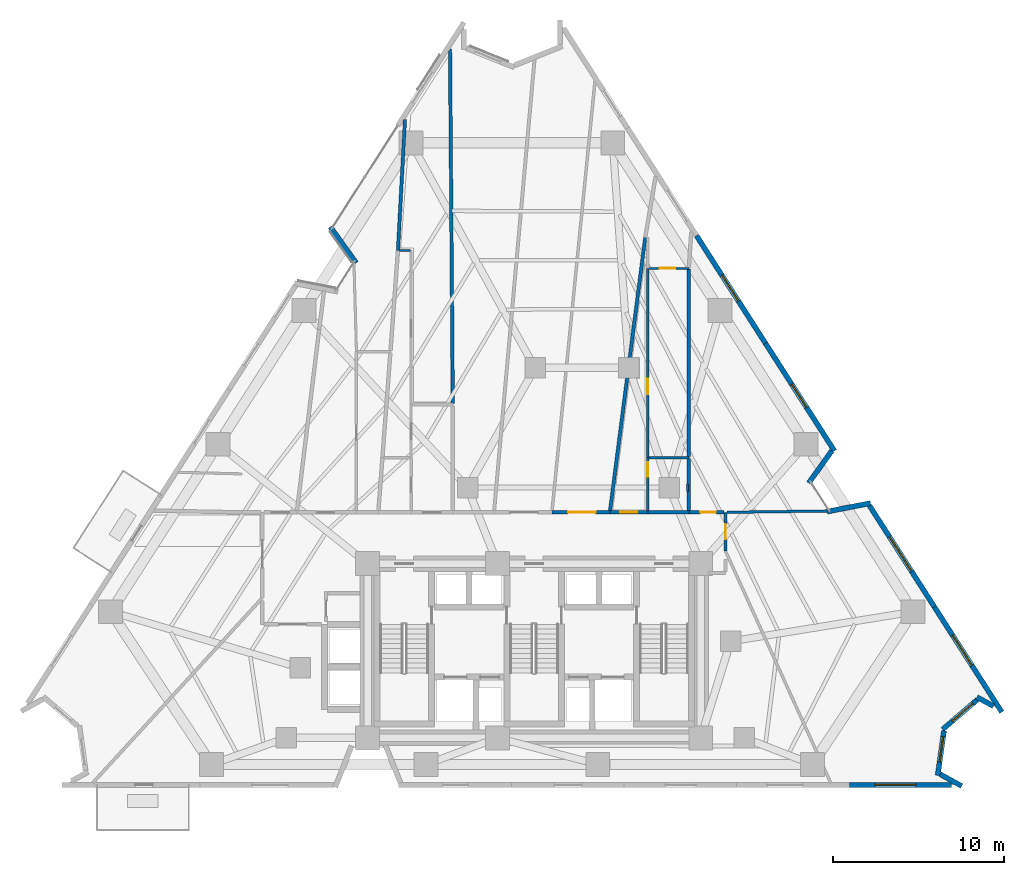
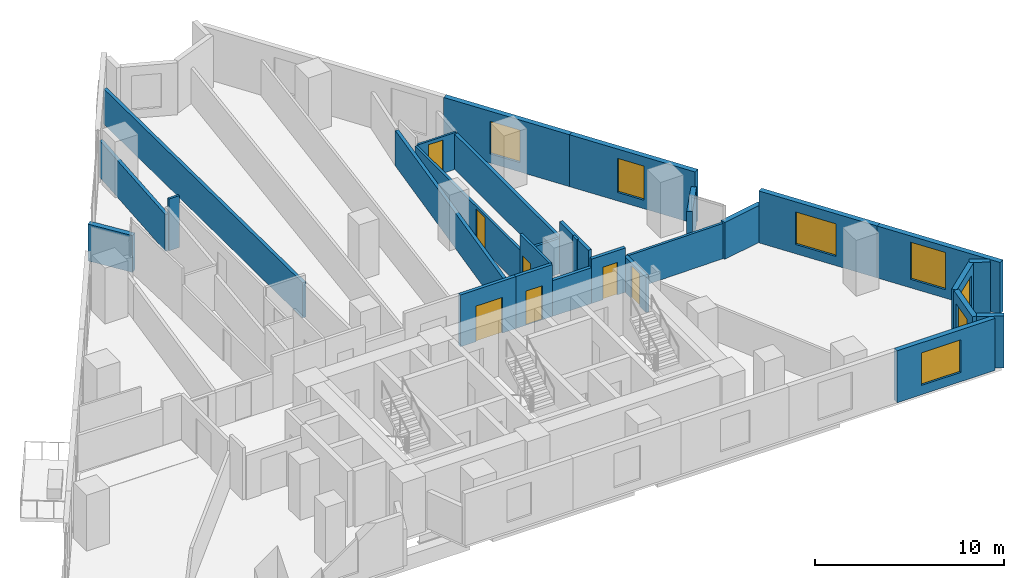
# One storey, part 9 of 14: 29 walls, 7 doors, 7 windows, 14 openings.
"""IFC4 building model written with IfcOpenShell, lengths in metres."""

from ifc_helpers import new_model, si_unit, direction, frame, frame_2d, origin, place, context, subcontext, project, spatial, rectangle, extrude, material, layer, layer_set, type_object, element, fill, save


model = new_model("IFC4")

# Units and contexts
model_context = context("Model", 3, precision=1e-05, world=origin(), true_north=direction((0.0, 1.0)))
body_context = subcontext(model_context, "Body", "Model", "MODEL_VIEW")
ifc_project = project(units=[si_unit("LENGTHUNIT", "METRE"), si_unit("AREAUNIT", "SQUARE_METRE"), si_unit("VOLUMEUNIT", "CUBIC_METRE"), si_unit("PLANEANGLEUNIT", "RADIAN"), si_unit("MASSUNIT", "GRAM", prefix="KILO")], contexts=[model_context])

# Site, building, storey
site_placement = place(None, origin())
site = spatial("IfcSite", under=ifc_project, at=site_placement, CompositionType="ELEMENT")
building_placement = place(site_placement, origin())
building = spatial("IfcBuilding", under=site, at=building_placement, Name="Almagre Mirador Tower", CompositionType="ELEMENT")
storey_placement = place(building_placement, frame((0.0, 0.0, 46.199951171875)))
storey = spatial("IfcBuildingStorey", under=building, at=storey_placement, Name="L10", CompositionType="ELEMENT", Elevation=46.199951171875)

# Wall
ifc_material_1 = material(Name="Precast concrete C50/60", Category="concrete")
ifc_layer_1 = layer(ifc_material_1, 0.300048828125)
ifc_layer_set_1 = layer_set([ifc_layer_1], Name="Precast concrete C50/60")
wall_type_1 = type_object("IfcWallType", Name="WAL-EXT-300", PredefinedType="SOLIDWALL", material=ifc_layer_set_1)
wall_1_placement = place(storey_placement, frame((26.881591796875, 32.34521484375, 0.0), z_axis=(0.0, 0.0, 1.0), x_axis=(-0.58299973372, 0.812472344442, 0.0)))
element("IfcWall", 1, at=wall_1_placement, inside=storey, type_object=wall_type_1, Name="L10 expressed almagre precast frame wall 02", PredefinedType="SOLIDWALL", context=body_context, shape_type="SweptSolid", body=[
    extrude(rectangle(XDim=2.59375, YDim=0.300048828125, at=frame_2d((1.296875, 0.0))), origin(), (0.0, 0.0, 1.0), 2.375),
])

# Wall, opening, window
wall_2_placement = place(storey_placement, frame((46.803466796875, 33.94140625, 0.0), z_axis=(0.0, 0.0, 1.0), x_axis=(0.539548093607, -0.841954781853, 0.0)))
wall_2 = element("IfcWall", 2, at=wall_2_placement, inside=storey, type_object=wall_type_1, Name="L10 expressed almagre precast frame wall 10", PredefinedType="SOLIDWALL", context=body_context, shape_type="SweptSolid", body=[
    extrude(rectangle(XDim=7.4814453125, YDim=0.300048828125, at=frame_2d((3.74072265625, 0.0))), origin(), (0.0, 0.0, 1.0), 3.35009765625),
])
opening_1_placement = place(wall_2_placement, frame((2.75, 0.0, 0.60009765625)))
opening_1 = element("IfcOpeningElement", 3, at=opening_1_placement, cuts=wall_2, Name="Opening WN-01", PredefinedType="OPENING", context=body_context, shape_type="SweptSolid", body=[
    extrude(rectangle(XDim=1.800048828125, YDim=2.10009765625, at=frame_2d((0.89990234375, 1.050048828125))), frame((0.0, 0.159902, 0.0), z_axis=(0.0, -1.0, 0.0), x_axis=(1.0, 0.0, 0.0)), (0.0, 0.0, 1.0), 0.320049),
])
ifc_material_2 = material(Name="Dark solar-control laminated hurricane glass", Category="glass")
window_type_1 = type_object("IfcWindowType", Name="WIN-1800X2100", PartitioningType="DOUBLE_PANEL_VERTICAL", PredefinedType="WINDOW", material=ifc_material_2)
window_1_placement = place(opening_1_placement, origin())
window_1 = element("IfcWindow", 4, at=window_1_placement, inside=storey, type_object=window_type_1, Name="L10 recessed hurricane window L10-RST-G", OverallHeight=2.10009765625, OverallWidth=1.800048828125, PartitioningType="SINGLE_PANEL", PredefinedType="WINDOW", context=body_context, shape_type="SweptSolid", body=[
    extrude(rectangle(XDim=1.800048828125, YDim=2.10009765625, at=frame_2d((0.89990234375, 1.050048828125))), frame((0.0, 0.030029296875, 0.0), z_axis=(0.0, -1.0, 0.0), x_axis=(1.0, 0.0, 0.0)), (0.0, 0.0, 1.0), 0.06005859375),
])
fill(opening_1, window_1)

wall_3_placement = place(storey_placement, frame((50.840087890625, 27.642333984375, 0.0), z_axis=(0.0, 0.0, 1.0), x_axis=(0.539510136354, -0.841979104712, 0.0)))
wall_3 = element("IfcWall", 5, at=wall_3_placement, inside=storey, type_object=wall_type_1, Name="L10 expressed almagre precast frame wall 11", PredefinedType="SOLIDWALL", context=body_context, shape_type="SweptSolid", body=[
    extrude(rectangle(XDim=7.4814453125, YDim=0.300048828125, at=frame_2d((3.74072265625, 0.0))), origin(), (0.0, 0.0, 1.0), 3.35009765625),
])
opening_2_placement = place(wall_3_placement, frame((2.85009765625, 0.0, 0.550048828125)))
opening_2 = element("IfcOpeningElement", 6, at=opening_2_placement, cuts=wall_3, Name="Opening WN-06", PredefinedType="OPENING", context=body_context, shape_type="SweptSolid", body=[
    extrude(rectangle(XDim=1.60009765625, YDim=2.199951171875, at=frame_2d((0.800048828125, 1.10009765625))), frame((0.0, 0.159902, 0.0), z_axis=(0.0, -1.0, 0.0), x_axis=(1.0, 0.0, 0.0)), (0.0, 0.0, 1.0), 0.320049),
])
ifc_material_3 = material(Name="Dark solar-control laminated hurricane glass", Category="glass")
window_type_2 = type_object("IfcWindowType", Name="WIN-1600X2200", PartitioningType="DOUBLE_PANEL_VERTICAL", PredefinedType="WINDOW", material=ifc_material_3)
window_2_placement = place(opening_2_placement, origin())
window_2 = element("IfcWindow", 7, at=window_2_placement, inside=storey, type_object=window_type_2, Name="L10 recessed hurricane window L10-RST-G", OverallHeight=2.199951171875, OverallWidth=1.60009765625, PartitioningType="SINGLE_PANEL", PredefinedType="WINDOW", context=body_context, shape_type="SweptSolid", body=[
    extrude(rectangle(XDim=1.60009765625, YDim=2.199951171875, at=frame_2d((0.800048828125, 1.10009765625))), frame((0.0, 0.030029296875, 0.0), z_axis=(0.0, -1.0, 0.0), x_axis=(1.0, 0.0, 0.0)), (0.0, 0.0, 1.0), 0.06005859375),
])
fill(opening_2, window_2)

# Walls
wall_4_placement = place(storey_placement, frame((54.722412109375, 21.351318359375, 0.0), z_axis=(0.0, 0.0, 1.0), x_axis=(-0.58303932792, -0.812443931665, 0.0)))
element("IfcWall", 8, at=wall_4_placement, inside=storey, type_object=wall_type_1, Name="L10 expressed almagre precast frame wall 12", PredefinedType="SOLIDWALL", context=body_context, shape_type="SweptSolid", body=[
    extrude(rectangle(XDim=2.319091796875, YDim=0.300048828125, at=frame_2d((1.15966796875, 0.0))), origin(), (0.0, 0.0, 1.0), 2.375),
])
wall_5_placement = place(storey_placement, frame((54.442626953125, 17.79443359375, 0.0), z_axis=(0.0, 0.0, 1.0), x_axis=(0.981746971615, 0.190191702567, 0.0)))
element("IfcWall", 9, at=wall_5_placement, inside=storey, type_object=wall_type_1, Name="L10 expressed almagre precast frame wall 13", PredefinedType="SOLIDWALL", context=body_context, shape_type="SweptSolid", body=[
    extrude(rectangle(XDim=2.593017578125, YDim=0.300048828125, at=frame_2d((1.29638671875, 0.0))), origin(), (0.0, 0.0, 1.0), 2.375),
])

# Wall, opening, window
wall_6_placement = place(storey_placement, frame((56.923828125, 18.1474609375, 0.0), z_axis=(0.0, 0.0, 1.0), x_axis=(0.539524946774, -0.84196961454, 0.0)))
wall_6 = element("IfcWall", 10, at=wall_6_placement, inside=storey, type_object=wall_type_1, Name="L10 expressed almagre precast frame wall 14", PredefinedType="SOLIDWALL", context=body_context, shape_type="SweptSolid", body=[
    extrude(rectangle(XDim=7.04052734375, YDim=0.300048828125, at=frame_2d((3.520263671875, 0.0))), origin(), (0.0, 0.0, 1.0), 3.35009765625),
])
opening_3_placement = place(wall_6_placement, frame((2.175048828125, 0.0, 0.60009765625)))
opening_3 = element("IfcOpeningElement", 11, at=opening_3_placement, cuts=wall_6, Name="Opening WN-02", PredefinedType="OPENING", context=body_context, shape_type="SweptSolid", body=[
    extrude(rectangle(XDim=2.39990234375, YDim=2.10009765625, at=frame_2d((1.199951171875, 1.050048828125))), frame((0.0, 0.159902, 0.0), z_axis=(0.0, -1.0, 0.0), x_axis=(1.0, 0.0, 0.0)), (0.0, 0.0, 1.0), 0.320049),
])
ifc_material_4 = material(Name="Dark solar-control laminated hurricane glass", Category="glass")
window_type_3 = type_object("IfcWindowType", Name="WIN-2400X2100", PartitioningType="TRIPLE_PANEL_VERTICAL", PredefinedType="WINDOW", material=ifc_material_4)
window_3_placement = place(opening_3_placement, origin())
window_3 = element("IfcWindow", 12, at=window_3_placement, inside=storey, type_object=window_type_3, Name="L10 recessed hurricane window L10-RST-D", OverallHeight=2.10009765625, OverallWidth=2.39990234375, PartitioningType="SINGLE_PANEL", PredefinedType="WINDOW", context=body_context, shape_type="SweptSolid", body=[
    extrude(rectangle(XDim=2.39990234375, YDim=2.10009765625, at=frame_2d((1.199951171875, 1.050048828125))), frame((0.0, 0.030029296875, 0.0), z_axis=(0.0, -1.0, 0.0), x_axis=(1.0, 0.0, 0.0)), (0.0, 0.0, 1.0), 0.06005859375),
])
fill(opening_3, window_3)

wall_7_placement = place(storey_placement, frame((60.722412109375, 12.219482421875, 0.0), z_axis=(0.0, 0.0, 1.0), x_axis=(0.53953753152, -0.841961550239, 0.0)))
wall_7 = element("IfcWall", 13, at=wall_7_placement, inside=storey, type_object=wall_type_1, Name="L10 expressed almagre precast frame wall 15", PredefinedType="SOLIDWALL", context=body_context, shape_type="SweptSolid", body=[
    extrude(rectangle(XDim=7.315673828125, YDim=0.300048828125, at=frame_2d((3.65771484375, 0.0))), origin(), (0.0, 0.0, 1.0), 3.35009765625),
])
opening_4_placement = place(wall_7_placement, frame((1.97509765625, 0.0, 0.550048828125)))
opening_4 = element("IfcOpeningElement", 14, at=opening_4_placement, cuts=wall_7, Name="Opening WN-05", PredefinedType="OPENING", context=body_context, shape_type="SweptSolid", body=[
    extrude(rectangle(XDim=2.10009765625, YDim=2.39990234375, at=frame_2d((1.050048828125, 1.199951171875))), frame((0.0, 0.159902, 0.0), z_axis=(0.0, -1.0, 0.0), x_axis=(1.0, 0.0, 0.0)), (0.0, 0.0, 1.0), 0.320049),
])
ifc_material_5 = material(Name="Dark solar-control laminated hurricane glass", Category="glass")
window_type_4 = type_object("IfcWindowType", Name="WIN-2100X2400", PartitioningType="DOUBLE_PANEL_VERTICAL", PredefinedType="WINDOW", material=ifc_material_5)
window_4_placement = place(opening_4_placement, origin())
window_4 = element("IfcWindow", 15, at=window_4_placement, inside=storey, type_object=window_type_4, Name="L10 recessed hurricane window L10-RST-D", OverallHeight=2.39990234375, OverallWidth=2.10009765625, PartitioningType="SINGLE_PANEL", PredefinedType="WINDOW", context=body_context, shape_type="SweptSolid", body=[
    extrude(rectangle(XDim=2.10009765625, YDim=2.39990234375, at=frame_2d((1.050048828125, 1.199951171875))), frame((0.0, 0.030029296875, 0.0), z_axis=(0.0, -1.0, 0.0), x_axis=(1.0, 0.0, 0.0)), (0.0, 0.0, 1.0), 0.06005859375),
])
fill(opening_4, window_4)

# Wall
wall_8_placement = place(storey_placement, frame((64.181640625, 6.403564453125, 0.0), z_axis=(0.0, 0.0, 1.0), x_axis=(-0.877222032341, 0.48008489455, 0.0)))
element("IfcWall", 16, at=wall_8_placement, inside=storey, type_object=wall_type_1, Name="L10 expressed almagre precast frame wall 16", PredefinedType="SOLIDWALL", context=body_context, shape_type="SweptSolid", body=[
    extrude(rectangle(XDim=1.109619140625, YDim=0.300048828125, at=frame_2d((0.5546875, 0.0))), origin(), (0.0, 0.0, 1.0), 3.35009765625),
])

# Wall, opening, window
wall_9_placement = place(storey_placement, frame((63.228515625, 6.781005859375, 0.0), z_axis=(0.0, 0.0, 1.0), x_axis=(-0.7586756687, -0.651468517829, 0.0)))
wall_9 = element("IfcWall", 17, at=wall_9_placement, inside=storey, type_object=wall_type_1, Name="L10 expressed almagre precast frame wall 17", PredefinedType="SOLIDWALL", context=body_context, shape_type="SweptSolid", body=[
    extrude(rectangle(XDim=2.671142578125, YDim=0.300048828125, at=frame_2d((1.33544921875, 0.0))), origin(), (0.0, 0.0, 1.0), 3.35009765625),
])
opening_5_placement = place(wall_9_placement, frame((0.324951171875, 0.0, 0.550048828125)))
opening_5 = element("IfcOpeningElement", 18, at=opening_5_placement, cuts=wall_9, Name="Opening WN-06", PredefinedType="OPENING", context=body_context, shape_type="SweptSolid", body=[
    extrude(rectangle(XDim=1.60009765625, YDim=2.199951171875, at=frame_2d((0.800048828125, 1.10009765625))), frame((0.0, 0.159902, 0.0), z_axis=(0.0, -1.0, 0.0), x_axis=(1.0, 0.0, 0.0)), (0.0, 0.0, 1.0), 0.320049),
])
window_5_placement = place(opening_5_placement, origin())
window_5 = element("IfcWindow", 19, at=window_5_placement, inside=storey, type_object=window_type_2, Name="L10 recessed hurricane window L10-RST-D", OverallHeight=2.199951171875, OverallWidth=1.60009765625, PartitioningType="SINGLE_PANEL", PredefinedType="WINDOW", context=body_context, shape_type="SweptSolid", body=[
    extrude(rectangle(XDim=1.60009765625, YDim=2.199951171875, at=frame_2d((0.800048828125, 1.10009765625))), frame((0.0, 0.030029296875, 0.0), z_axis=(0.0, -1.0, 0.0), x_axis=(1.0, 0.0, 0.0)), (0.0, 0.0, 1.0), 0.06005859375),
])
fill(opening_5, window_5)

wall_10_placement = place(storey_placement, frame((61.285888671875, 4.973388671875, 0.0), z_axis=(0.0, 0.0, 1.0), x_axis=(-0.139186994148, -0.990266116082, 0.0)))
wall_10 = element("IfcWall", 20, at=wall_10_placement, inside=storey, type_object=wall_type_1, Name="L10 expressed almagre precast frame wall 18", PredefinedType="SOLIDWALL", context=body_context, shape_type="SweptSolid", body=[
    extrude(rectangle(XDim=2.64697265625, YDim=0.300048828125, at=frame_2d((1.323486328125, 0.0))), origin(), (0.0, 0.0, 1.0), 3.35009765625),
])
opening_6_placement = place(wall_10_placement, frame((0.35009765625, 0.0, 0.60009765625)))
opening_6 = element("IfcOpeningElement", 21, at=opening_6_placement, cuts=wall_10, Name="Opening WN-03", PredefinedType="OPENING", context=body_context, shape_type="SweptSolid", body=[
    extrude(rectangle(XDim=1.5, YDim=2.10009765625, at=frame_2d((0.75, 1.050048828125))), frame((0.0, 0.159902, 0.0), z_axis=(0.0, -1.0, 0.0), x_axis=(1.0, 0.0, 0.0)), (0.0, 0.0, 1.0), 0.320049),
])
ifc_material_6 = material(Name="Dark solar-control laminated hurricane glass", Category="glass")
window_type_5 = type_object("IfcWindowType", Name="WIN-1500X2100", PartitioningType="DOUBLE_PANEL_VERTICAL", PredefinedType="WINDOW", material=ifc_material_6)
window_6_placement = place(opening_6_placement, origin())
window_6 = element("IfcWindow", 22, at=window_6_placement, inside=storey, type_object=window_type_5, Name="L10 recessed hurricane window L10-RST-D", OverallHeight=2.10009765625, OverallWidth=1.5, PartitioningType="SINGLE_PANEL", PredefinedType="WINDOW", context=body_context, shape_type="SweptSolid", body=[
    extrude(rectangle(XDim=1.5, YDim=2.10009765625, at=frame_2d((0.75, 1.050048828125))), frame((0.0, 0.030029296875, 0.0), z_axis=(0.0, -1.0, 0.0), x_axis=(1.0, 0.0, 0.0)), (0.0, 0.0, 1.0), 0.06005859375),
])
fill(opening_6, window_6)

# Wall
wall_11_placement = place(storey_placement, frame((61.055419921875, 2.42626953125, 0.0), z_axis=(0.0, 0.0, 1.0), x_axis=(0.877287752989, -0.479964788767, 0.0)))
element("IfcWall", 23, at=wall_11_placement, inside=storey, type_object=wall_type_1, Name="L10 expressed almagre precast frame wall 19", PredefinedType="SOLIDWALL", context=body_context, shape_type="SweptSolid", body=[
    extrude(rectangle(XDim=1.444580078125, YDim=0.300048828125, at=frame_2d((0.72216796875, 0.0))), origin(), (0.0, 0.0, 1.0), 3.35009765625),
])

# Wall, opening, window
wall_12_placement = place(storey_placement, frame((61.72998046875, 1.800048828125, 0.0), z_axis=(0.0, 0.0, 1.0), x_axis=(-1.0, 0.0, 0.0)))
wall_12 = element("IfcWall", 24, at=wall_12_placement, inside=storey, type_object=wall_type_1, Name="L10 expressed almagre precast frame wall 20", PredefinedType="SOLIDWALL", context=body_context, shape_type="SweptSolid", body=[
    extrude(rectangle(XDim=5.982666015625, YDim=0.300048828125, at=frame_2d((2.9912109375, 0.0))), origin(), (0.0, 0.0, 1.0), 3.35009765625),
])
opening_7_placement = place(wall_12_placement, frame((2.090087890625, 0.0, 0.60009765625)))
opening_7 = element("IfcOpeningElement", 25, at=opening_7_placement, cuts=wall_12, Name="Opening WN-02", PredefinedType="OPENING", context=body_context, shape_type="SweptSolid", body=[
    extrude(rectangle(XDim=2.39990234375, YDim=2.10009765625, at=frame_2d((1.199951171875, 1.050048828125))), frame((0.0, 0.159902, 0.0), z_axis=(0.0, -1.0, 0.0), x_axis=(1.0, 0.0, 0.0)), (0.0, 0.0, 1.0), 0.320049),
])
window_7_placement = place(opening_7_placement, origin())
window_7 = element("IfcWindow", 26, at=window_7_placement, inside=storey, type_object=window_type_3, Name="L10 recessed hurricane window L10-RST-D", OverallHeight=2.10009765625, OverallWidth=2.39990234375, PartitioningType="SINGLE_PANEL", PredefinedType="WINDOW", context=body_context, shape_type="SweptSolid", body=[
    extrude(rectangle(XDim=2.39990234375, YDim=2.10009765625, at=frame_2d((1.199951171875, 1.050048828125))), frame((0.0, 0.030029296875, 0.0), z_axis=(0.0, -1.0, 0.0), x_axis=(1.0, 0.0, 0.0)), (0.0, 0.0, 1.0), 0.06005859375),
])
fill(opening_7, window_7)

# Wall, opening, door
ifc_material_7 = material(Name="Gypsum acoustic stud partition", Category="other")
ifc_layer_2 = layer(ifc_material_7, 0.125)
ifc_layer_set_2 = layer_set([ifc_layer_2], Name="Gypsum acoustic stud partition")
wall_type_2 = type_object("IfcWallType", Name="WAL-PRT-125-UTL", PredefinedType="PARTITIONING", material=ifc_layer_set_2)
wall_13_placement = place(storey_placement, frame((43.99755859375, 32.030029296875, 0.0), z_axis=(0.0, 0.0, 1.0), x_axis=(1.0, 0.0, 0.0)))
wall_13 = element("IfcWall", 27, at=wall_13_placement, inside=storey, type_object=wall_type_2, Name="L10 interior partition 035", PredefinedType="PARTITIONING", context=body_context, shape_type="SweptSolid", body=[
    extrude(rectangle(XDim=2.3525390625, YDim=0.125, at=frame_2d((1.17626953125, 0.0))), origin(), (0.0, 0.0, 1.0), 2.3701171875),
])
opening_8_placement = place(wall_13_placement, frame((0.64697265625, 0.0, 0.0)))
opening_8 = element("IfcOpeningElement", 28, at=opening_8_placement, cuts=wall_13, Name="Opening UD-02", PredefinedType="OPENING", context=body_context, shape_type="SweptSolid", body=[
    extrude(rectangle(XDim=0.89990234375, YDim=2.14990234375, at=frame_2d((0.449951171875, 1.074951171875))), frame((0.0, 0.0725, 0.0), z_axis=(0.0, -1.0, 0.0), x_axis=(1.0, 0.0, 0.0)), (0.0, 0.0, 1.0), 0.145),
])
ifc_material_8 = material(Name="Solid American walnut timber", Category="wood")
door_type_1 = type_object("IfcDoorType", Name="DOR-UNR-900X2150", OperationType="NOTDEFINED", PredefinedType="DOOR", material=ifc_material_8)
door_1_placement = place(opening_8_placement, origin())
door_1 = element("IfcDoor", 29, at=door_1_placement, inside=storey, type_object=door_type_1, Name="DR-0329 L10 interior door L10-UF-KT to L10-UF-MB", OperationType="SINGLE_SWING_RIGHT", OverallHeight=2.14990234375, OverallWidth=0.89990234375, PredefinedType="DOOR", context=body_context, shape_type="SweptSolid", body=[
    extrude(rectangle(XDim=0.89990234375, YDim=2.14990234375, at=frame_2d((0.449951171875, 1.074951171875))), frame((0.0, 0.02490234375, 0.0), z_axis=(0.0, -1.0, 0.0), x_axis=(1.0, 0.0, 0.0)), (0.0, 0.0, 1.0), 0.050048828125),
])
fill(opening_8, door_1)

# Walls
wall_14_placement = place(storey_placement, frame((30.052490234375, 33.080078125, 0.0), z_axis=(0.0, 0.0, 1.0), x_axis=(-1.0, 0.0, 0.0)))
element("IfcWall", 30, at=wall_14_placement, inside=storey, type_object=wall_type_2, Name="L10 interior partition 052", PredefinedType="PARTITIONING", context=body_context, shape_type="SweptSolid", body=[
    extrude(rectangle(XDim=0.637451171875, YDim=0.125, at=frame_2d((0.31884765625, 0.0))), origin(), (0.0, 0.0, 1.0), 3.35009765625),
])
wall_15_placement = place(storey_placement, frame((46.27001953125, 19.419921875, 0.0), z_axis=(0.0, 0.0, 1.0), x_axis=(0.0, -1.0, 0.0)))
element("IfcWall", 31, at=wall_15_placement, inside=storey, type_object=wall_type_2, Name="L10 interior partition 056", PredefinedType="PARTITIONING", context=body_context, shape_type="SweptSolid", body=[
    extrude(rectangle(XDim=0.43994140625, YDim=0.125, at=frame_2d((0.219970703125, 0.0))), origin(), (0.0, 0.0, 1.0), 3.35009765625),
])
ifc_material_9 = material(Name="Gypsum acoustic stud partition", Category="other")
ifc_layer_3 = layer(ifc_material_9, 0.14990234375)
ifc_layer_set_3 = layer_set([ifc_layer_3], Name="Gypsum acoustic stud partition")
wall_type_3 = type_object("IfcWallType", Name="WAL-PRT-150-STD", PredefinedType="PARTITIONING", material=ifc_layer_set_3)
wall_16_placement = place(storey_placement, frame((54.43603515625, 17.827880859375, 0.0), z_axis=(0.0, 0.0, 1.0), x_axis=(-0.999914181231, -0.013100769962, 0.0)))
element("IfcWall", 32, at=wall_16_placement, inside=storey, type_object=wall_type_3, Name="L10 interior partition 022", PredefinedType="PARTITIONING", context=body_context, shape_type="SweptSolid", body=[
    extrude(rectangle(XDim=5.8515625, YDim=0.14990234375, at=frame_2d((2.92578125, 0.0))), origin(), (0.0, 0.0, 1.0), 2.279052734375),
])

# Wall, opening, door
wall_17_placement = place(storey_placement, frame((43.949951171875, 20.949951171875, 0.0), z_axis=(0.0, 0.0, 1.0), x_axis=(0.0, -1.0, 0.0)))
wall_17 = element("IfcWall", 33, at=wall_17_placement, inside=storey, type_object=wall_type_3, Name="L10 interior partition 029", PredefinedType="PARTITIONING", context=body_context, shape_type="SweptSolid", body=[
    extrude(rectangle(XDim=3.114990234375, YDim=0.14990234375, at=frame_2d((1.5576171875, 0.0))), origin(), (0.0, 0.0, 1.0), 3.35009765625),
])
opening_9_placement = place(wall_17_placement, frame((0.2548828125, 0.0, 0.0)))
opening_9 = element("IfcOpeningElement", 34, at=opening_9_placement, cuts=wall_17, Name="Opening UD-04", PredefinedType="OPENING", context=body_context, shape_type="SweptSolid", body=[
    extrude(rectangle(XDim=0.85009765625, YDim=2.10009765625, at=frame_2d((0.425048828125, 1.050048828125))), frame((0.0, 0.084951, 0.0), z_axis=(0.0, -1.0, 0.0), x_axis=(1.0, 0.0, 0.0)), (0.0, 0.0, 1.0), 0.169902),
])
ifc_material_10 = material(Name="Moisture-resistant oak timber", Category="wood")
door_type_2 = type_object("IfcDoorType", Name="DOR-UNR-850X2100", OperationType="NOTDEFINED", PredefinedType="DOOR", material=ifc_material_10)
door_2_placement = place(opening_9_placement, origin())
door_2 = element("IfcDoor", 35, at=door_2_placement, inside=storey, type_object=door_type_2, Name="DR-0330 L10 interior door L10-UF-LV to L10-UF-HB", OperationType="SINGLE_SWING_LEFT", OverallHeight=2.10009765625, OverallWidth=0.85009765625, PredefinedType="DOOR", context=body_context, shape_type="SweptSolid", body=[
    extrude(rectangle(XDim=0.85009765625, YDim=2.10009765625, at=frame_2d((0.425048828125, 1.050048828125))), frame((0.0, 0.02490234375, 0.0), z_axis=(0.0, -1.0, 0.0), x_axis=(1.0, 0.0, 0.0)), (0.0, 0.0, 1.0), 0.050048828125),
])
fill(opening_9, door_2)

wall_18_placement = place(storey_placement, frame((43.949951171875, 20.949951171875, 0.0), z_axis=(0.0, 0.0, 1.0), x_axis=(0.0, 1.0, 0.0)))
wall_18 = element("IfcWall", 36, at=wall_18_placement, inside=storey, type_object=wall_type_3, Name="L10 interior partition 031", PredefinedType="PARTITIONING", context=body_context, shape_type="SweptSolid", body=[
    extrude(rectangle(XDim=11.080078125, YDim=0.14990234375, at=frame_2d((5.5400390625, 0.0))), origin(), (0.0, 0.0, 1.0), 2.30908203125),
])
opening_10_placement = place(wall_18_placement, frame((3.71826171875, 0.0, 0.0)))
opening_10 = element("IfcOpeningElement", 37, at=opening_10_placement, cuts=wall_18, Name="Opening UD-02", PredefinedType="OPENING", context=body_context, shape_type="SweptSolid", body=[
    extrude(rectangle(XDim=0.89990234375, YDim=2.14990234375, at=frame_2d((0.449951171875, 1.074951171875))), frame((0.0, 0.084951, 0.0), z_axis=(0.0, -1.0, 0.0), x_axis=(1.0, 0.0, 0.0)), (0.0, 0.0, 1.0), 0.169902),
])
door_3_placement = place(opening_10_placement, origin())
door_3 = element("IfcDoor", 38, at=door_3_placement, inside=storey, type_object=door_type_1, Name="DR-0331 L10 interior door L10-UF-LV to L10-UF-MB", OperationType="SINGLE_SWING_RIGHT", OverallHeight=2.14990234375, OverallWidth=0.89990234375, PredefinedType="DOOR", context=body_context, shape_type="SweptSolid", body=[
    extrude(rectangle(XDim=0.89990234375, YDim=2.14990234375, at=frame_2d((0.449951171875, 1.074951171875))), frame((0.0, 0.02490234375, 0.0), z_axis=(0.0, -1.0, 0.0), x_axis=(1.0, 0.0, 0.0)), (0.0, 0.0, 1.0), 0.050048828125),
])
fill(opening_10, door_3)

# Wall
wall_19_placement = place(storey_placement, frame((46.35009765625, 20.949951171875, 0.0), z_axis=(0.0, 0.0, 1.0), x_axis=(-1.0, 0.0, 0.0)))
element("IfcWall", 39, at=wall_19_placement, inside=storey, type_object=wall_type_3, Name="L10 interior partition 033", PredefinedType="PARTITIONING", context=body_context, shape_type="SweptSolid", body=[
    extrude(rectangle(XDim=2.340087890625, YDim=0.14990234375, at=frame_2d((1.169921875, 0.0))), origin(), (0.0, 0.0, 1.0), 2.279052734375),
])

# Wall, opening, door
ifc_material_11 = material(Name="Gypsum acoustic stud partition", Category="other")
ifc_layer_4 = layer(ifc_material_11, 0.199951171875)
ifc_layer_set_4 = layer_set([ifc_layer_4], Name="Gypsum acoustic stud partition")
wall_type_4 = type_object("IfcWallType", Name="WAL-PRT-200-EI60", PredefinedType="PARTITIONING", material=ifc_layer_set_4)
wall_20_placement = place(storey_placement, frame((48.5, 15.47998046875, 0.0), z_axis=(0.0, 0.0, 1.0), x_axis=(0.0, 1.0, 0.0)))
wall_20 = element("IfcWall", 40, at=wall_20_placement, inside=storey, type_object=wall_type_4, Name="L10 interior partition 006", PredefinedType="PARTITIONING", context=body_context, shape_type="SweptSolid", body=[
    extrude(rectangle(XDim=2.27001953125, YDim=0.199951171875, at=frame_2d((1.135009765625, 0.0))), origin(), (0.0, 0.0, 1.0), 2.279052734375),
])
opening_11_placement = place(wall_20_placement, frame((0.68505859375, 0.0, 0.0)))
opening_11 = element("IfcOpeningElement", 41, at=opening_11_placement, cuts=wall_20, Name="Opening ID-03", PredefinedType="OPENING", context=body_context, shape_type="SweptSolid", body=[
    extrude(rectangle(XDim=0.89990234375, YDim=2.10009765625, at=frame_2d((0.449951171875, 1.050048828125))), frame((0.0, 0.110098, 0.0), z_axis=(0.0, -1.0, 0.0), x_axis=(1.0, 0.0, 0.0)), (0.0, 0.0, 1.0), 0.219951),
])
ifc_material_12 = material(Name="Fire-rated hollow steel", Category="steel")
door_type_3 = type_object("IfcDoorType", Name="DOR-FD60-900X2100", OperationType="NOTDEFINED", PredefinedType="DOOR", material=ifc_material_12)
door_4_placement = place(opening_11_placement, origin())
door_4 = element("IfcDoor", 42, at=door_4_placement, inside=storey, type_object=door_type_3, Name="DR-0323 L10 interior door L10-RCOR to L10-RST-D", OperationType="SINGLE_SWING_RIGHT", OverallHeight=2.10009765625, OverallWidth=0.89990234375, PredefinedType="DOOR", context=body_context, shape_type="SweptSolid", body=[
    extrude(rectangle(XDim=0.89990234375, YDim=2.10009765625, at=frame_2d((0.449951171875, 1.050048828125))), frame((0.0, 0.02490234375, 0.0), z_axis=(0.0, -1.0, 0.0), x_axis=(1.0, 0.0, 0.0)), (0.0, 0.0, 1.0), 0.050048828125),
])
fill(opening_11, door_4)

wall_21_placement = place(storey_placement, frame((43.949951171875, 17.75, 0.0), z_axis=(0.0, 0.0, 1.0), x_axis=(-1.0, 0.0, 0.0)))
wall_21 = element("IfcWall", 43, at=wall_21_placement, inside=storey, type_object=wall_type_4, Name="L10 interior partition 008", PredefinedType="PARTITIONING", context=body_context, shape_type="SweptSolid", body=[
    extrude(rectangle(XDim=2.219970703125, YDim=0.199951171875, at=frame_2d((1.10986328125, 0.0))), origin(), (0.0, 0.0, 1.0), 3.35009765625),
])
opening_12_placement = place(wall_21_placement, frame((0.610107421875, 0.0, 0.0)))
opening_12 = element("IfcOpeningElement", 44, at=opening_12_placement, cuts=wall_21, Name="Opening ID-01", PredefinedType="OPENING", context=body_context, shape_type="SweptSolid", body=[
    extrude(rectangle(XDim=1.0, YDim=2.199951171875, at=frame_2d((0.5, 1.10009765625))), frame((0.0, 0.110098, 0.0), z_axis=(0.0, -1.0, 0.0), x_axis=(1.0, 0.0, 0.0)), (0.0, 0.0, 1.0), 0.219951),
])
ifc_material_13 = material(Name="Fire-rated walnut timber", Category="wood")
door_type_4 = type_object("IfcDoorType", Name="DOR-FD60-1000X2200", OperationType="NOTDEFINED", PredefinedType="DOOR", material=ifc_material_13)
door_5_placement = place(opening_12_placement, origin())
door_5 = element("IfcDoor", 45, at=door_5_placement, inside=storey, type_object=door_type_4, Name="DR-0328 L10 interior door L10-RCOR to L10-UF-LV", OperationType="SINGLE_SWING_RIGHT", OverallHeight=2.199951171875, OverallWidth=1.0, PredefinedType="DOOR", context=body_context, shape_type="SweptSolid", body=[
    extrude(rectangle(XDim=1.0, YDim=2.199951171875, at=frame_2d((0.5, 1.10009765625))), frame((0.0, 0.02490234375, 0.0), z_axis=(0.0, -1.0, 0.0), x_axis=(1.0, 0.0, 0.0)), (0.0, 0.0, 1.0), 0.050048828125),
])
fill(opening_12, door_5)

# Wall
wall_22_placement = place(storey_placement, frame((46.35009765625, 17.75, 0.0), z_axis=(0.0, 0.0, 1.0), x_axis=(-1.0, 0.0, 0.0)))
element("IfcWall", 46, at=wall_22_placement, inside=storey, type_object=wall_type_4, Name="L10 interior partition 009", PredefinedType="PARTITIONING", context=body_context, shape_type="SweptSolid", body=[
    extrude(rectangle(XDim=2.400146484375, YDim=0.199951171875, at=frame_2d((1.2001953125, 0.0))), origin(), (0.0, 0.0, 1.0), 2.30908203125),
])

# Wall, opening, door
wall_23_placement = place(storey_placement, frame((48.4150390625, 17.75, 0.0), z_axis=(0.0, 0.0, 1.0), x_axis=(-1.0, 0.0, 0.0)))
wall_23 = element("IfcWall", 47, at=wall_23_placement, inside=storey, type_object=wall_type_4, Name="L10 interior partition 010", PredefinedType="PARTITIONING", context=body_context, shape_type="SweptSolid", body=[
    extrude(rectangle(XDim=2.06494140625, YDim=0.199951171875, at=frame_2d((1.032470703125, 0.0))), origin(), (0.0, 0.0, 1.0), 2.860107421875),
])
opening_13_placement = place(wall_23_placement, frame((0.486083984375, 0.0, 0.0)))
opening_13 = element("IfcOpeningElement", 48, at=opening_13_placement, cuts=wall_23, Name="Opening ID-03", PredefinedType="OPENING", context=body_context, shape_type="SweptSolid", body=[
    extrude(rectangle(XDim=0.89990234375, YDim=2.10009765625, at=frame_2d((0.449951171875, 1.050048828125))), frame((0.0, 0.110098, 0.0), z_axis=(0.0, -1.0, 0.0), x_axis=(1.0, 0.0, 0.0)), (0.0, 0.0, 1.0), 0.219951),
])
door_6_placement = place(opening_13_placement, origin())
door_6 = element("IfcDoor", 49, at=door_6_placement, inside=storey, type_object=door_type_3, Name="DR-0324 L10 interior door L10-RCOR to L10-RST-G", OperationType="SINGLE_SWING_LEFT", OverallHeight=2.10009765625, OverallWidth=0.89990234375, PredefinedType="DOOR", context=body_context, shape_type="SweptSolid", body=[
    extrude(rectangle(XDim=0.89990234375, YDim=2.10009765625, at=frame_2d((0.449951171875, 1.050048828125))), frame((0.0, 0.02490234375, 0.0), z_axis=(0.0, -1.0, 0.0), x_axis=(1.0, 0.0, 0.0)), (0.0, 0.0, 1.0), 0.050048828125),
])
fill(opening_13, door_6)

wall_24_placement = place(storey_placement, frame((41.72998046875, 17.75, 0.0), z_axis=(0.0, 0.0, 1.0), x_axis=(-1.0, 0.0, 0.0)))
wall_24 = element("IfcWall", 50, at=wall_24_placement, inside=storey, type_object=wall_type_4, Name="L10 interior partition 017", PredefinedType="PARTITIONING", context=body_context, shape_type="SweptSolid", body=[
    extrude(rectangle(XDim=3.389892578125, YDim=0.199951171875, at=frame_2d((1.69482421875, 0.0))), origin(), (0.0, 0.0, 1.0), 3.35009765625),
])
opening_14_placement = place(wall_24_placement, frame((0.8369140625, 0.0, 0.0)))
opening_14 = element("IfcOpeningElement", 51, at=opening_14_placement, cuts=wall_24, Name="Opening ID-05", PredefinedType="OPENING", context=body_context, shape_type="SweptSolid", body=[
    extrude(rectangle(XDim=1.60009765625, YDim=2.300048828125, at=frame_2d((0.800048828125, 1.14990234375))), frame((0.0, 0.110098, 0.0), z_axis=(0.0, -1.0, 0.0), x_axis=(1.0, 0.0, 0.0)), (0.0, 0.0, 1.0), 0.219951),
])
ifc_material_14 = material(Name="Fire-rated acoustic timber", Category="wood")
door_type_5 = type_object("IfcDoorType", Name="DOR-FD60-1600X2300", OperationType="DOUBLE_DOOR_SINGLE_SWING", PredefinedType="DOOR", material=ifc_material_14)
door_7_placement = place(opening_14_placement, origin())
door_7 = element("IfcDoor", 52, at=door_7_placement, inside=storey, type_object=door_type_5, Name="DR-0326 L10 interior door L10-RCOR to L10-RST-M", OperationType="DOUBLE_DOOR_SINGLE_SWING", OverallHeight=2.300048828125, OverallWidth=1.60009765625, PredefinedType="DOOR", context=body_context, shape_type="SweptSolid", body=[
    extrude(rectangle(XDim=1.60009765625, YDim=2.300048828125, at=frame_2d((0.800048828125, 1.14990234375))), frame((0.0, 0.02490234375, 0.0), z_axis=(0.0, -1.0, 0.0), x_axis=(1.0, 0.0, 0.0)), (0.0, 0.0, 1.0), 0.050048828125),
])
fill(opening_14, door_7)

# Walls
wall_25_placement = place(storey_placement, frame((43.800048828125, 33.820068359375, 0.0), z_axis=(0.0, 0.0, 1.0), x_axis=(-0.127751212179, -0.991806245084, 0.0)))
element("IfcWall", 53, at=wall_25_placement, inside=storey, type_object=wall_type_4, Name="L10 interior partition 032", PredefinedType="PARTITIONING", context=body_context, shape_type="SweptSolid", body=[
    extrude(rectangle(XDim=16.117919921875, YDim=0.199951171875, at=frame_2d((8.05908203125, 0.0))), origin(), (0.0, 0.0, 1.0), 2.279052734375),
])
wall_26_placement = place(storey_placement, frame((46.35009765625, 17.8349609375, 0.0), z_axis=(0.0, 0.0, 1.0), x_axis=(0.0, 1.0, 0.0)))
element("IfcWall", 54, at=wall_26_placement, inside=storey, type_object=wall_type_4, Name="L10 interior partition 034", PredefinedType="PARTITIONING", context=body_context, shape_type="SweptSolid", body=[
    extrude(rectangle(XDim=3.054931640625, YDim=0.199951171875, at=frame_2d((1.52734375, 0.0))), origin(), (0.0, 0.0, 1.0), 3.35009765625),
])
wall_27_placement = place(storey_placement, frame((46.35009765625, 21.010009765625, 0.0), z_axis=(0.0, 0.0, 1.0), x_axis=(0.0, 1.0, 0.0)))
element("IfcWall", 55, at=wall_27_placement, inside=storey, type_object=wall_type_4, Name="L10 interior partition 038", PredefinedType="PARTITIONING", context=body_context, shape_type="SweptSolid", body=[
    extrude(rectangle(XDim=10.972412109375, YDim=0.199951171875, at=frame_2d((5.486328125, 0.0))), origin(), (0.0, 0.0, 1.0), 2.279052734375),
])
wall_28_placement = place(storey_placement, frame((29.330078125, 33.080078125, 0.0), z_axis=(0.0, 0.0, 1.0), x_axis=(0.05364874202, 0.998559869252, 0.0)))
element("IfcWall", 56, at=wall_28_placement, inside=storey, type_object=wall_type_4, Name="L10 interior partition 045", PredefinedType="PARTITIONING", context=body_context, shape_type="SweptSolid", body=[
    extrude(rectangle(XDim=7.677001953125, YDim=0.199951171875, at=frame_2d((3.83837890625, 0.0))), origin(), (0.0, 0.0, 1.0), 2.3701171875),
])
wall_29_placement = place(storey_placement, frame((32.53955078125, 24.12255859375, 0.0), z_axis=(0.0, 0.0, 1.0), x_axis=(-0.007881180941, 0.999968943011, 0.0)))
element("IfcWall", 57, at=wall_29_placement, inside=storey, type_object=wall_type_4, Name="L10 interior partition 053", PredefinedType="PARTITIONING", context=body_context, shape_type="SweptSolid", body=[
    extrude(rectangle(XDim=20.755126953125, YDim=0.199951171875, at=frame_2d((10.37744140625, 0.0))), origin(), (0.0, 0.0, 1.0), 2.279052734375),
])

save(model, "model.ifc")
